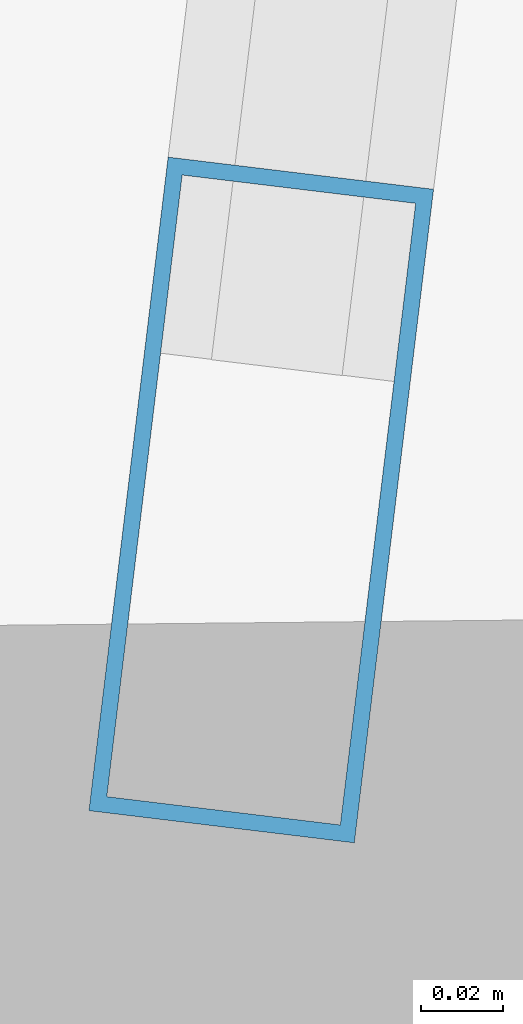
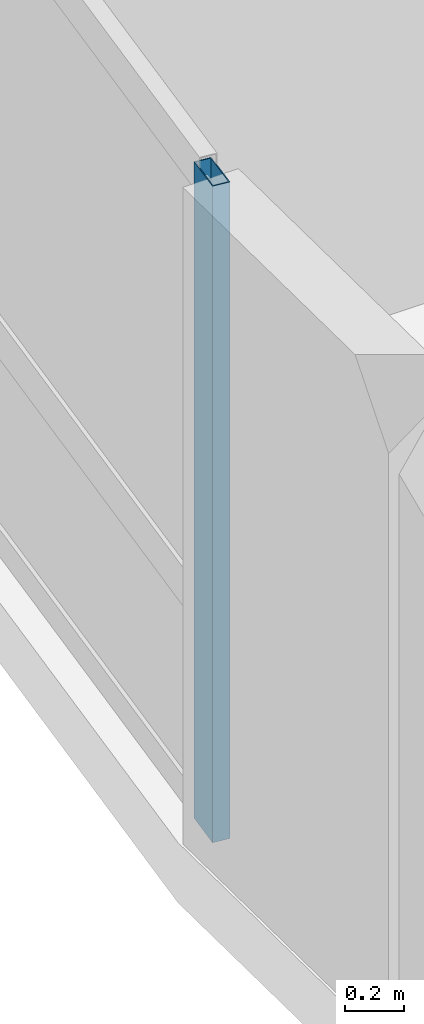
# One storey, part 2 of 25: 1 member, 1 element without a shape of its own.
"""IFC4 building model written with IfcOpenShell, lengths in metres."""

from ifc_helpers import new_model, si_unit, direction, frame, origin, origin_2d, place, context, subcontext, project, spatial, hollow_rectangle, extrude, material, layer, layer_set, material_profile, profile_set, type_object, element, aggregate, save


model = new_model("IFC4")

# Units and contexts
model_context = context("Model", 3, precision=1e-05, world=origin(), true_north=direction((0.0, 1.0)))
body_context = subcontext(model_context, "Body", "Model", "MODEL_VIEW")
ifc_project = project(units=[si_unit("LENGTHUNIT", "METRE"), si_unit("AREAUNIT", "SQUARE_METRE"), si_unit("VOLUMEUNIT", "CUBIC_METRE"), si_unit("PLANEANGLEUNIT", "RADIAN"), si_unit("MASSUNIT", "GRAM", prefix="KILO")], contexts=[model_context])

# Site, building, storey
site_placement = place(None, origin())
site = spatial("IfcSite", under=ifc_project, at=site_placement, CompositionType="ELEMENT")
building_placement = place(site_placement, origin())
building = spatial("IfcBuilding", under=site, at=building_placement, Name="Varnelok Gate Tower", CompositionType="ELEMENT")
storey_placement = place(building_placement, frame((0.0, 0.0, 140.199951171875)))
storey = spatial("IfcBuildingStorey", under=building, at=storey_placement, Name="L35", CompositionType="ELEMENT", Elevation=140.199951171875)

# Curtain wall, member
ifc_material = material(Name="Anodized Aluminum Alloy 6063-T6", Category="aluminium")
ifc_layer = layer(ifc_material, 0.179931640625)
ifc_layer_set = layer_set([ifc_layer], Name="Anodized Aluminum Alloy 6063-T6")
curtain_wall_type = type_object("IfcCurtainWallType", Name="CW3-HOTEL-VISION", PredefinedType="USERDEFINED", material=ifc_layer_set)
curtain_wall_placement = place(storey_placement, origin())
curtain_wall = element("IfcCurtainWall", 1, at=curtain_wall_placement, inside=storey, type_object=curtain_wall_type, Name="L35 West End Vision Curtain Wall", ObjectType="UNITISED CURTAIN WALL", PredefinedType="USERDEFINED")
ifc_material_profile = material_profile(ifc_material, hollow_rectangle(XDim=0.06494140625, YDim=0.159912109375, WallThickness=0.00390625, at=origin_2d()), Name="ALU160X65X4")
ifc_profile_set = profile_set([ifc_material_profile], Name="Anodized Aluminum Alloy 6063-T6")
member_type = type_object("IfcMemberType", Name="CW-MULL-160", PredefinedType="MULLION", material=ifc_profile_set)
member_placement = place(storey_placement, frame((0.2470703125, 11.923095703125, 0.0), z_axis=(0.0, 0.0, 1.0), x_axis=(-0.99273188146, 0.120347046212, 0.0)))
member = element("IfcMember", 2, at=member_placement, type_object=member_type, Name="CW3 mullion 1", PredefinedType="MULLION", context=body_context, shape_type="SweptSolid", body=[
    extrude(hollow_rectangle(XDim=0.06494140625, YDim=0.159912109375, WallThickness=0.00390625, at=origin_2d()), origin(), (0.0, 0.0, 1.0), 2.72998046875),
])
aggregate(curtain_wall, [member])

save(model, "model.ifc")
